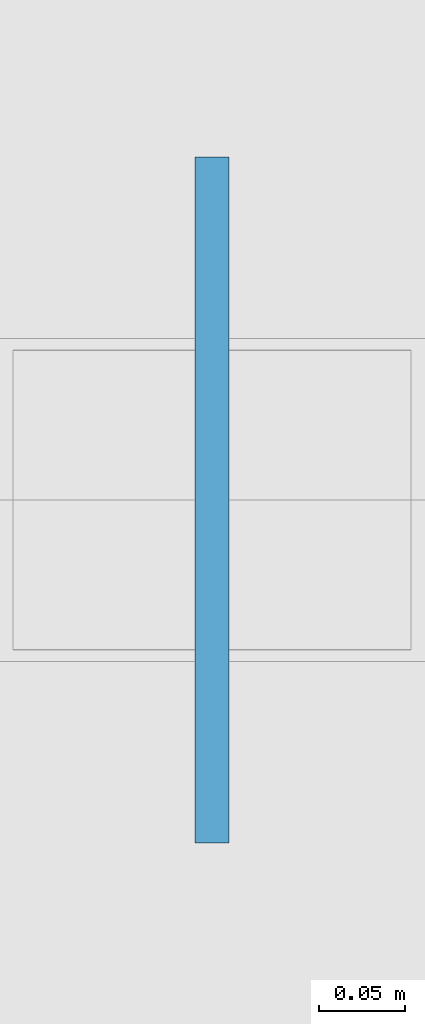
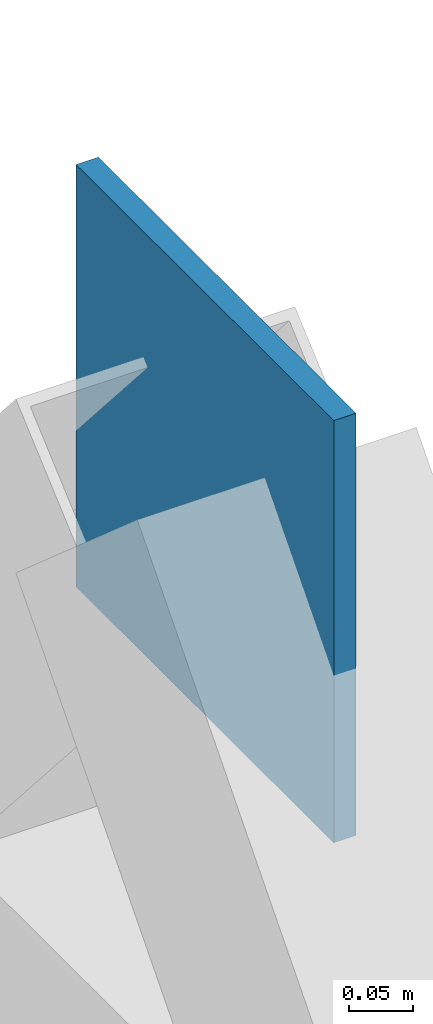
# One storey, part 93 of 180: 1 plate.
"""IFC4 building model written with IfcOpenShell, lengths in metres."""

from ifc_helpers import new_model, si_unit, direction, frame, origin, origin_2d, place, context, subcontext, project, spatial, rectangle, extrude, material, layer, layer_set, type_object, element, save


model = new_model("IFC4")

# Units and contexts
model_context = context("Model", 3, precision=1e-05, world=origin(), true_north=direction((0.0, 1.0)))
body_context = subcontext(model_context, "Body", "Model", "MODEL_VIEW")
ifc_project = project(units=[si_unit("LENGTHUNIT", "METRE"), si_unit("AREAUNIT", "SQUARE_METRE"), si_unit("VOLUMEUNIT", "CUBIC_METRE"), si_unit("PLANEANGLEUNIT", "RADIAN"), si_unit("MASSUNIT", "GRAM", prefix="KILO"), si_unit("THERMODYNAMICTEMPERATUREUNIT", "KELVIN"), si_unit("POWERUNIT", "WATT")], contexts=[model_context])

# Site, building, storey
site_placement = place(None, origin())
site = spatial("IfcSite", under=ifc_project, at=site_placement, CompositionType="ELEMENT")
building_placement = place(site_placement, origin())
building = spatial("IfcBuilding", under=site, at=building_placement, Name="Tallowbark Science Centre", CompositionType="ELEMENT")
storey_placement = place(building_placement, origin())
storey = spatial("IfcBuildingStorey", under=building, at=storey_placement, Name="L00", CompositionType="ELEMENT", Elevation=0.0)

# Plate
ifc_material = material(Name="Structural Steel Grade 300PLUS (300 MPa)", Category="steel")
ifc_layer = layer(ifc_material, 0.02001953125)
ifc_layer_set = layer_set([ifc_layer], Name="Structural Steel Grade 300PLUS (300 MPa)")
plate_type = type_object("IfcPlateType", Name="PLT-GUS-20", PredefinedType="SHEET", material=ifc_layer_set)
plate_placement = place(storey_placement, frame((162.0, 85.5, 4.949951171875), z_axis=(0.0, 0.0, 1.0), x_axis=(0.0, 1.0, 0.0)))
element("IfcPlate", 1, at=plate_placement, inside=storey, type_object=plate_type, Name="Chevron Brace Apex Gusset CBF-OBS-E1A L00", PredefinedType="SHEET", context=body_context, shape_type="SweptSolid", body=[
    extrude(rectangle(XDim=0.39990234375, YDim=0.02001953125, at=origin_2d()), origin(), (0.0, 0.0, 1.0), 0.39990234375),
])

save(model, "model.ifc")
